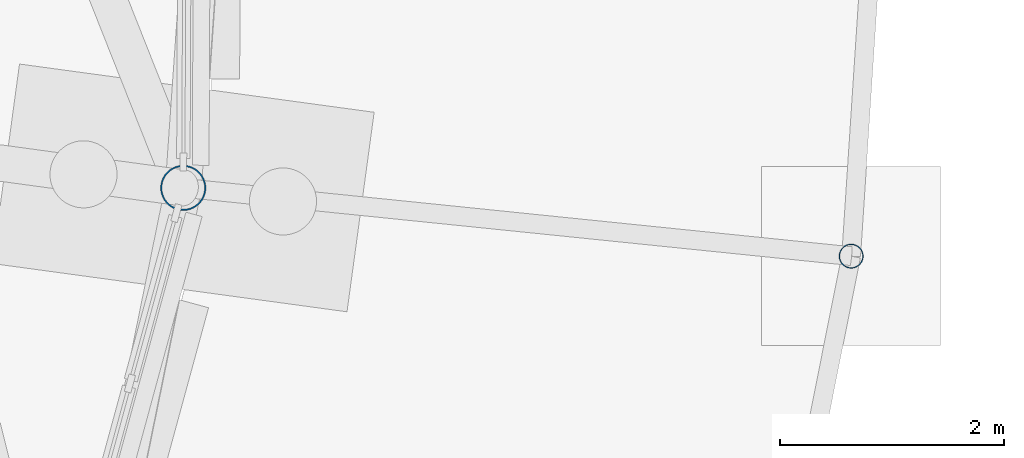
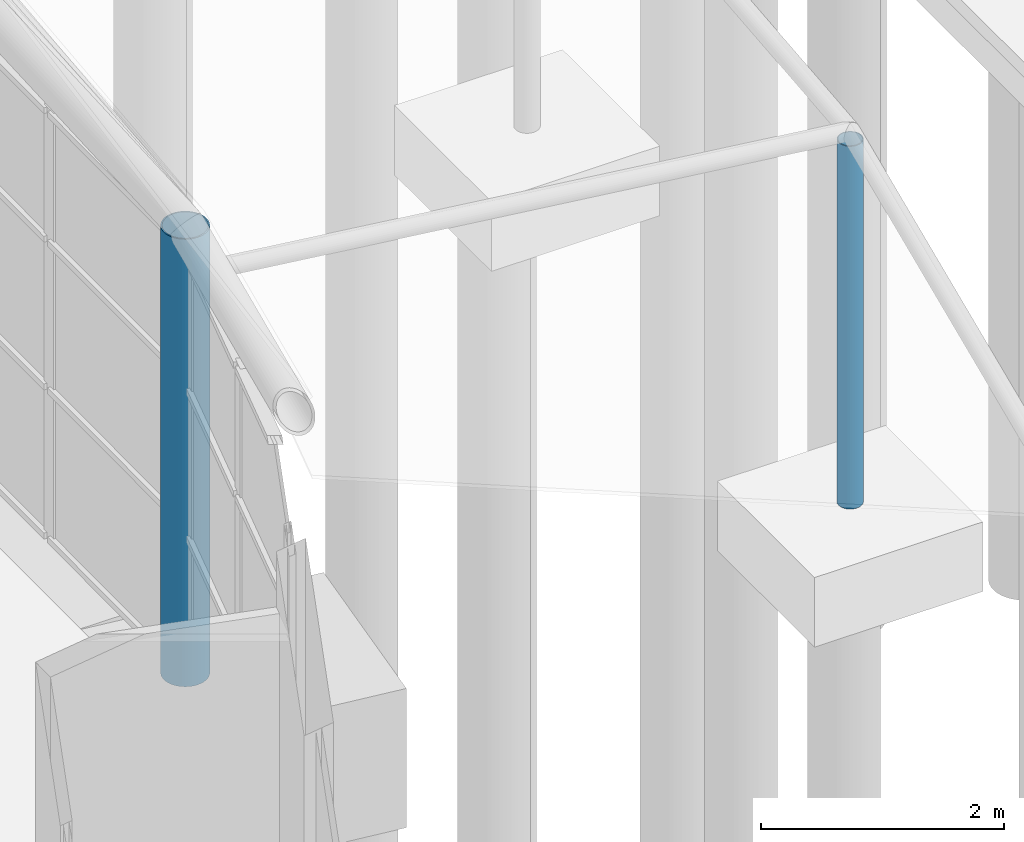
# One storey, part 38 of 226: 2 columns.
"""IFC4 building model written with IfcOpenShell, lengths in metres."""

import ifcopenshell
import ifcopenshell.guid

model = None  # the IFC model being written
_history = None  # IfcOwnerHistory: only IFC2X3 demands one
_inside = {}  # id of a spatial element -> (the spatial element, [elements in it])
_under = {}  # id of a project, library or spatial element -> (it, [spatial elements below it])
_declared = {}  # id of a project -> (the project, [libraries it declares])
_typed = {}  # id of a type object -> (the type object, [elements of that type])
_made_of = {}  # id of a material, layer set ... -> (it, [elements and type objects made of it])


def new_model(schema):
    """Start an empty IFC model of exactly this schema.

    Asked for "IFC4X3", IfcOpenShell would pick the latest addendum, in which some entities
    have other attributes; the version numbers below select the first issue.
    IFC2X3 requires an IfcOwnerHistory on every rooted entity: one is made here for all.
    """
    global model, _history
    if schema == "IFC4X3":
        model = ifcopenshell.file(schema_version=(4, 3, 0, 0))
    else:
        model = ifcopenshell.file(schema=schema)
    _inside.clear()
    _under.clear()
    _declared.clear()
    _typed.clear()
    _made_of.clear()
    _history = None
    if model.schema == "IFC2X3":
        org = make("IfcOrganization", Name="unknown")
        user = make(
            "IfcPersonAndOrganization",
            ThePerson=make("IfcPerson", FamilyName="unknown"),
            TheOrganization=org,
        )
        app = make(
            "IfcApplication",
            ApplicationDeveloper=org,
            Version="unknown",
            ApplicationFullName="unknown",
            ApplicationIdentifier="unknown",
        )
        _history = make(
            "IfcOwnerHistory",
            OwningUser=user,
            OwningApplication=app,
            ChangeAction="ADDED",
            CreationDate=0,
        )
    return model


def make(cls, **values):
    """One entity of the class cls with the attributes given. An attribute that is None is left unset."""
    return model.create_entity(
        cls, **{name: value for name, value in values.items() if value is not None}
    )


def rooted(cls, **values):
    """An entity with a GlobalId (a new one), such as an element, a storey or a relation."""
    return make(cls, GlobalId=ifcopenshell.guid.new(), OwnerHistory=_history, **values)


def si_unit(unit_type, name, prefix=None):
    """IfcSIUnit, for example si_unit("LENGTHUNIT", "METRE", prefix="MILLI")."""
    return make("IfcSIUnit", UnitType=unit_type, Prefix=prefix, Name=name)


def assignment(units):
    """IfcUnitAssignment: the units of a project."""
    return None if units is None else make("IfcUnitAssignment", Units=units)


def point(xyz):
    """IfcCartesianPoint."""
    return None if xyz is None else make("IfcCartesianPoint", Coordinates=xyz)


def direction(xyz):
    """IfcDirection."""
    return None if xyz is None else make("IfcDirection", DirectionRatios=xyz)


def frame(location, z_axis=None, x_axis=None):
    """IfcAxis2Placement3D, a coordinate frame: its origin and axes. An axis left out is left unset."""
    return make(
        "IfcAxis2Placement3D",
        Location=point(location),
        Axis=direction(z_axis),
        RefDirection=direction(x_axis),
    )


def frame_2d(location, x_axis=None):
    """IfcAxis2Placement2D, a coordinate frame in the plane: its origin and x axis."""
    return make(
        "IfcAxis2Placement2D", Location=point(location), RefDirection=direction(x_axis)
    )


def origin():
    """The frame at (0, 0, 0) with its axes left unset."""
    return frame((0.0, 0.0, 0.0))


def origin_2d():
    """The frame at (0, 0) in the plane with its x axis left unset."""
    return frame_2d((0.0, 0.0))


def place(relative_to, where):
    """IfcLocalPlacement: puts the frame where relative to a parent placement (None: the world)."""
    return make(
        "IfcLocalPlacement", PlacementRelTo=relative_to, RelativePlacement=where
    )


def context(
    kind, dimensions, precision=None, world=None, true_north=None, identifier=None
):
    """IfcGeometricRepresentationContext, for example the 3D "Model" context."""
    return make(
        "IfcGeometricRepresentationContext",
        ContextIdentifier=identifier,
        ContextType=kind,
        CoordinateSpaceDimension=dimensions,
        Precision=precision,
        WorldCoordinateSystem=world,
        TrueNorth=true_north,
    )


def subcontext(parent, identifier, kind, view, scale=None):
    """IfcGeometricRepresentationSubContext, for example "Body" below "Model"."""
    return make(
        "IfcGeometricRepresentationSubContext",
        ContextIdentifier=identifier,
        ContextType=kind,
        ParentContext=parent,
        TargetScale=scale,
        TargetView=view,
    )


def project(units=None, contexts=None):
    """IfcProject with its units and contexts."""
    return rooted(
        "IfcProject",
        Name="project",
        RepresentationContexts=contexts,
        UnitsInContext=assignment(units),
    )


def spatial(cls, under=None, at=None, **own):
    """A site, building, storey or space (cls), placed at a placement, below another one or the project."""
    s = rooted(cls, ObjectPlacement=at, **own)
    if under is not None:
        _under.setdefault(under.id(), (under, []))[1].append(s)
    return s


def profile(cls, at=None, kind="AREA", **sizes):
    """A parametric profile (cls). Its sizes go by their IFC names, for example OverallWidth=200.0."""
    return make(cls, ProfileType=kind, Position=at, **sizes)


def hollow_circle(**sizes):
    """IfcCircleHollowProfileDef."""
    return profile("IfcCircleHollowProfileDef", **sizes)


def extrude(swept, where, along, depth):
    """IfcExtrudedAreaSolid: the profile swept, set in the frame where, extruded along a direction by depth."""
    return make(
        "IfcExtrudedAreaSolid",
        SweptArea=swept,
        Position=where,
        ExtrudedDirection=direction(along),
        Depth=depth,
    )


def shape(context_of_items, identifier, shape_type, items):
    """IfcShapeRepresentation: the items that make up one representation, for example the "Body"."""
    return make(
        "IfcShapeRepresentation",
        ContextOfItems=context_of_items,
        RepresentationIdentifier=identifier,
        RepresentationType=shape_type,
        Items=items,
    )


def material(Name=None, Category=None):
    """IfcMaterial."""
    return make("IfcMaterial", Name=Name, Category=Category)


def material_profile(
    of_material, cross_section, Name=None, Category=None, Priority=None
):
    """IfcMaterialProfile: a cross section and its material."""
    return make(
        "IfcMaterialProfile",
        Name=Name,
        Material=of_material,
        Profile=cross_section,
        Priority=Priority,
        Category=Category,
    )


def profile_set(profiles, Name=None, composite=None):
    """IfcMaterialProfileSet."""
    return make(
        "IfcMaterialProfileSet",
        Name=Name,
        MaterialProfiles=profiles,
        CompositeProfile=composite,
    )


def made_of(thing, what):
    """Note that an element or type object is made of a material, layer set ...; save() writes the relation."""
    if what is not None:
        _made_of.setdefault(what.id(), (what, []))[1].append(thing)
    return thing


def type_object(cls, material=None, **own):
    """A type object (cls), such as IfcWallType, which elements share."""
    return made_of(rooted(cls, **own), material)


def element(
    cls,
    number,
    at=None,
    inside=None,
    cuts=None,
    type_object=None,
    material=None,
    context=None,
    identifier="Body",
    shape_type=None,
    held_by="IfcProductDefinitionShape",
    body=None,
    shapes=None,
    **own,
):
    """One element of the class cls, such as IfcWall. Its Tag is "e" and its number.

    at: its placement. inside: the storey or other place that contains it. cuts: it is an
    opening in that element (IfcRelVoidsElement). A single representation is given by context,
    identifier, shape_type and body (its items); several are given by shapes. held_by: the class
    of the entity that holds the representations. save() writes the other relations.
    """
    e = rooted(cls, Tag="e%d" % number, ObjectPlacement=at, **own)
    if body is not None:
        shapes = [shape(context, identifier, shape_type, body)]
    if shapes is not None:
        e.Representation = make(held_by, Representations=shapes)
    if inside is not None:
        _inside.setdefault(inside.id(), (inside, []))[1].append(e)
    if cuts is not None:
        rooted(
            "IfcRelVoidsElement", RelatingBuildingElement=cuts, RelatedOpeningElement=e
        )
    if type_object is not None:
        _typed.setdefault(type_object.id(), (type_object, []))[1].append(e)
    return made_of(e, material)


def aggregate(whole, parts):
    """IfcRelAggregates: a whole, such as a stair, and the parts it consists of."""
    return rooted("IfcRelAggregates", RelatingObject=whole, RelatedObjects=parts)


def save(model, path):
    """Write the relations noted so far, then the file.

    IfcRelAggregates (storeys below a building ...), IfcRelContainedInSpatialStructure (elements
    in a storey), IfcRelDefinesByType, IfcRelAssociatesMaterial and IfcRelDeclares: one each for
    every whole, place, type object, material and project.
    """
    for whole, parts in _under.values():
        aggregate(whole, parts)
    for where, things in _inside.values():
        rooted(
            "IfcRelContainedInSpatialStructure",
            RelatedElements=things,
            RelatingStructure=where,
        )
    for kind, things in _typed.values():
        rooted("IfcRelDefinesByType", RelatedObjects=things, RelatingType=kind)
    for what, things in _made_of.values():
        rooted("IfcRelAssociatesMaterial", RelatedObjects=things, RelatingMaterial=what)
    for by, libraries in _declared.values():
        rooted("IfcRelDeclares", RelatingContext=by, RelatedDefinitions=libraries)
    model.write(path)


model = new_model("IFC4")

# Units and contexts
model_context = context("Model", 3, precision=1e-05, world=origin(), true_north=direction((0.0, 1.0)))
body_context = subcontext(model_context, "Body", "Model", "MODEL_VIEW")
ifc_project = project(units=[si_unit("LENGTHUNIT", "METRE"), si_unit("AREAUNIT", "SQUARE_METRE"), si_unit("VOLUMEUNIT", "CUBIC_METRE"), si_unit("PLANEANGLEUNIT", "RADIAN"), si_unit("MASSUNIT", "GRAM", prefix="KILO")], contexts=[model_context])

# Site, building, storey
site_placement = place(None, origin())
site = spatial("IfcSite", under=ifc_project, at=site_placement, CompositionType="ELEMENT")
building_placement = place(site_placement, origin())
building = spatial("IfcBuilding", under=site, at=building_placement, Name="Ceibo Conservatory and Research Tower", CompositionType="ELEMENT")
storey_placement = place(building_placement, origin())
storey = spatial("IfcBuildingStorey", under=building, at=storey_placement, Name="L00", CompositionType="ELEMENT", Elevation=0.0)

# Columns
ifc_material = material(Name="Steel ASTM A500 Gr C", Category="steel")
ifc_material_profile_1 = material_profile(ifc_material, hollow_circle(Radius=0.109619140625, WallThickness=0.00830078125, at=origin_2d()), Name="CHS column 219.1x8.18")
ifc_profile_set_1 = profile_set([ifc_material_profile_1], Name="Steel ASTM A500 Gr C")
column_type_1 = type_object("IfcColumnType", Name="CHS column 219.1x8.18", PredefinedType="COLUMN", material=ifc_profile_set_1)
column_1_placement = place(storey_placement, frame((201.6064453125, 101.995849609375, 0.0), z_axis=(0.0, 0.0, 1.0), x_axis=(1.0, 0.0, 0.0)))
element("IfcColumn", 1, at=column_1_placement, inside=storey, type_object=column_type_1, Name="Colonnade column A-CL08", PredefinedType="COLUMN", context=body_context, shape_type="SweptSolid", body=[
    extrude(hollow_circle(Radius=0.109619140625, WallThickness=0.00830078125, at=origin_2d()), origin(), (0.0, 0.0, 1.0), 3.64794921875),
])
ifc_material_profile_2 = material_profile(ifc_material, hollow_circle(Radius=0.203125, WallThickness=0.0126953125, at=origin_2d()), Name="CHS column 406.4x12.70")
ifc_profile_set_2 = profile_set([ifc_material_profile_2], Name="Steel ASTM A500 Gr C")
column_type_2 = type_object("IfcColumnType", Name="CHS column 406.4x12.70", PredefinedType="COLUMN", material=ifc_profile_set_2)
column_2_placement = place(storey_placement, frame((195.634521484375, 102.60595703125, 0.0), z_axis=(0.0, 0.0, 1.0), x_axis=(1.0, 0.0, 0.0)))
element("IfcColumn", 2, at=column_2_placement, inside=storey, type_object=column_type_2, Name="Drum column A-DC24", PredefinedType="COLUMN", context=body_context, shape_type="SweptSolid", body=[
    extrude(hollow_circle(Radius=0.203125, WallThickness=0.0126953125, at=origin_2d()), origin(), (0.0, 0.0, 1.0), 4.5),
])

save(model, "model.ifc")
